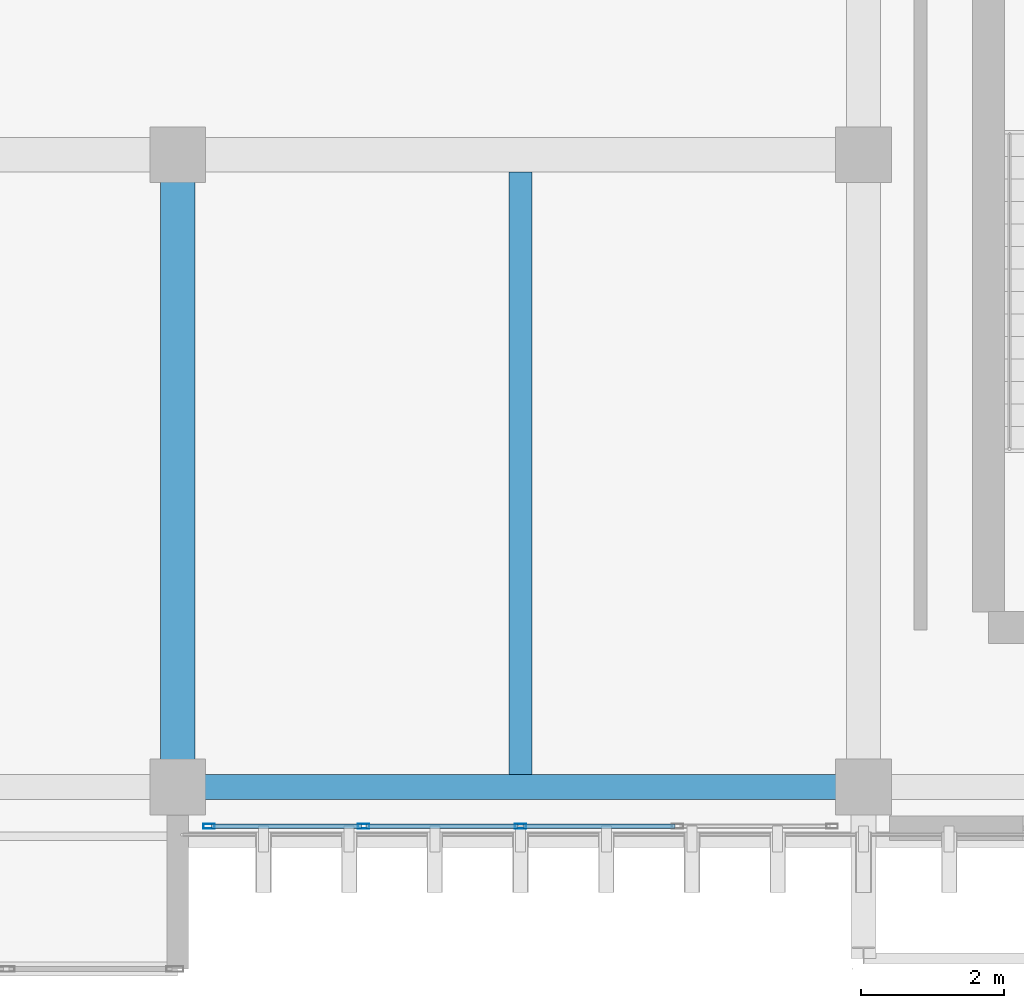
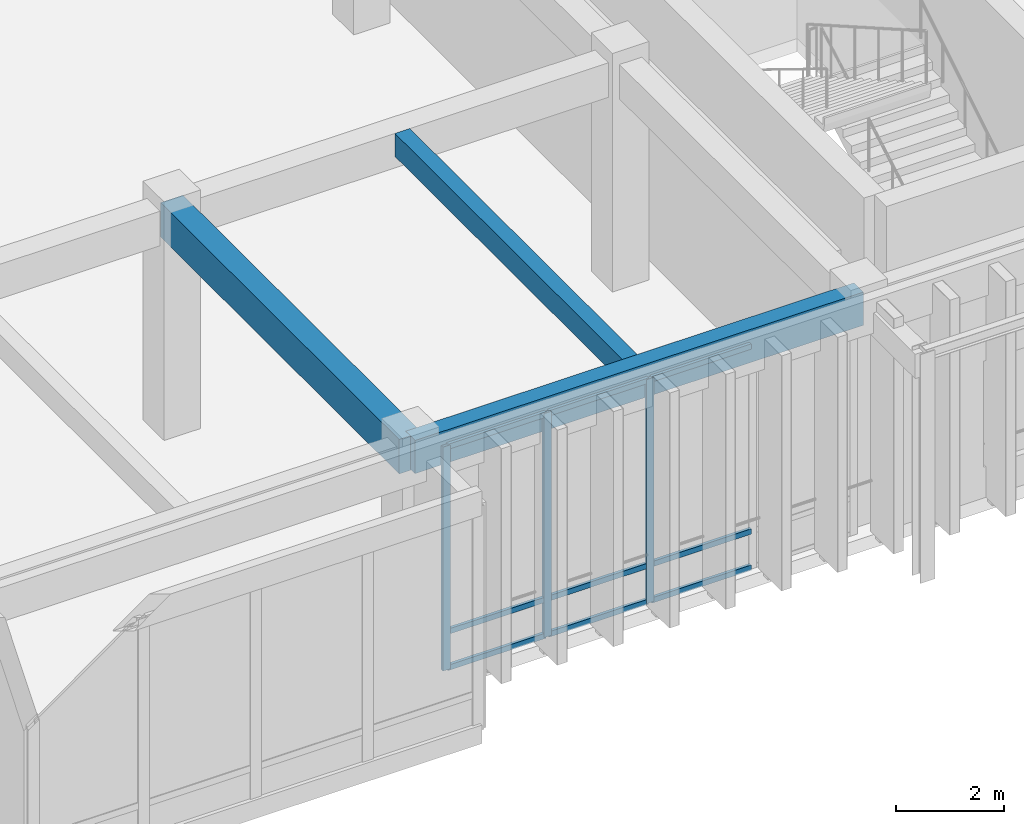
# One storey, part 19 of 134: 12 members, 3 beams, 1 element without a shape of its own.
"""IFC4 building model written with IfcOpenShell, lengths in metres."""

from ifc_helpers import new_model, si_unit, direction, frame, origin, origin_2d, place, context, subcontext, project, spatial, rectangle, hollow_rectangle, extrude, material, layer, layer_set, material_profile, profile_set, type_object, element, aggregate, save


model = new_model("IFC4")

# Units and contexts
model_context = context("Model", 3, precision=1e-05, world=origin(), true_north=direction((0.0, 1.0)))
body_context = subcontext(model_context, "Body", "Model", "MODEL_VIEW")
ifc_project = project(units=[si_unit("LENGTHUNIT", "METRE"), si_unit("AREAUNIT", "SQUARE_METRE"), si_unit("VOLUMEUNIT", "CUBIC_METRE"), si_unit("PLANEANGLEUNIT", "RADIAN"), si_unit("MASSUNIT", "GRAM", prefix="KILO")], contexts=[model_context])

# Site, building, storey
site_placement = place(None, origin())
site = spatial("IfcSite", under=ifc_project, at=site_placement, CompositionType="ELEMENT")
building_placement = place(site_placement, origin())
building = spatial("IfcBuilding", under=site, at=building_placement, Name="Nakhvara Creek Congress Hotel", CompositionType="ELEMENT")
storey_placement = place(building_placement, frame((0.0, 0.0, 6.0)))
storey = spatial("IfcBuildingStorey", under=building, at=storey_placement, Name="L01", CompositionType="ELEMENT", Elevation=6.0)

# Beams
ifc_material_1 = material(Name="Concrete C40/50", Category="concrete")
ifc_material_profile_1 = material_profile(ifc_material_1, rectangle(XDim=0.320068359375, YDim=0.52001953125, at=origin_2d()), Name="RC-BM 320x520", Category="LoadBearing")
ifc_profile_set_1 = profile_set([ifc_material_profile_1], Name="Concrete C40/50")
beam_type_1 = type_object("IfcBeamType", Name="BM-RC-320X520", PredefinedType="JOIST", material=ifc_profile_set_1)
beam_1_placement = place(storey_placement, frame((110.39990234375, 0.925048828125, 4.840087890625), z_axis=(0.0, 1.0, 0.0), x_axis=(-1.0, 0.0, 0.0)))
element("IfcBeam", 1, at=beam_1_placement, inside=storey, type_object=beam_type_1, Name="Secondary Joist BJ2-L01-1378", PredefinedType="JOIST", context=body_context, shape_type="SweptSolid", body=[
    extrude(rectangle(XDim=0.320068359375, YDim=0.52001953125, at=origin_2d()), origin(), (0.0, 0.0, 1.0), 8.43505859375),
])
ifc_material_profile_2 = material_profile(ifc_material_1, rectangle(XDim=0.47998046875, YDim=0.780029296875, at=origin_2d()), Name="RC-BM 480x780", Category="LoadBearing")
ifc_profile_set_2 = profile_set([ifc_material_profile_2], Name="Concrete C40/50")
beam_type_2 = type_object("IfcBeamType", Name="BM-RC-480X780", PredefinedType="BEAM", material=ifc_profile_set_2)
beam_2_placement = place(storey_placement, frame((105.60009765625, 0.75, 4.7099609375), z_axis=(0.0, 1.0, 0.0), x_axis=(-1.0, 0.0, 0.0)))
element("IfcBeam", 2, at=beam_2_placement, inside=storey, type_object=beam_type_2, Name="Beam B13-L01-1190", PredefinedType="BEAM", context=body_context, shape_type="SweptSolid", body=[
    extrude(rectangle(XDim=0.47998046875, YDim=0.780029296875, at=origin_2d()), origin(), (0.0, 0.0, 1.0), 8.85009765625),
])
ifc_material_profile_3 = material_profile(ifc_material_1, rectangle(XDim=0.35009765625, YDim=0.75, at=origin_2d()), Name="RC-SPANDREL 350x750", Category="LoadBearing")
ifc_profile_set_3 = profile_set([ifc_material_profile_3], Name="Concrete C40/50")
beam_type_3 = type_object("IfcBeamType", Name="BM-SPN-350X750", PredefinedType="SPANDREL", material=ifc_profile_set_3)
beam_3_placement = place(storey_placement, frame((105.60009765625, 0.75, 4.72509765625), z_axis=(1.0, 0.0, 0.0), x_axis=(0.0, 1.0, 0.0)))
element("IfcBeam", 3, at=beam_3_placement, inside=storey, type_object=beam_type_3, Name="Beam SP1-L01-1191", PredefinedType="SPANDREL", context=body_context, shape_type="SweptSolid", body=[
    extrude(rectangle(XDim=0.35009765625, YDim=0.75, at=origin_2d()), origin(), (0.0, 0.0, 1.0), 9.599853515625),
])

# Curtain wall, members
ifc_material_2 = material(Name="Bronze-anodised aluminium AW-6063-T6 and double-silver low-E glass", Category="aluminium")
ifc_layer = layer(ifc_material_2, 0.199951171875)
ifc_layer_set = layer_set([ifc_layer], Name="Bronze-anodised aluminium AW-6063-T6 and double-silver low-E glass")
curtain_wall_type = type_object("IfcCurtainWallType", Name="CW-SPA-STICK", PredefinedType="NOTDEFINED", material=ifc_layer_set)
curtain_wall_placement = place(storey_placement, origin())
curtain_wall = element("IfcCurtainWall", 4, at=curtain_wall_placement, inside=storey, type_object=curtain_wall_type, Name="Curtain Wall CW078", PredefinedType="NOTDEFINED")
ifc_material_3 = material(Name="Bronze-anodised aluminium AW-6063-T6", Category="aluminium")
ifc_material_profile_4 = material_profile(ifc_material_3, hollow_rectangle(XDim=0.06494140625, YDim=0.159912109375, WallThickness=0.00390625, at=origin_2d()), Name="ALU-MULL 65x160x4", Category="LoadBearing")
ifc_profile_set_4 = profile_set([ifc_material_profile_4], Name="Bronze-anodised aluminium AW-6063-T6")
member_type_1 = type_object("IfcMemberType", Name="CW-MULL-160", PredefinedType="MULLION", material=ifc_profile_set_4)
member_1_placement = place(storey_placement, frame((110.39990234375, 0.199951171875, 0.0), z_axis=(0.0, 0.0, 1.0), x_axis=(0.0, -1.0, 0.0)))
member_1 = element("IfcMember", 5, at=member_1_placement, type_object=member_type_1, Name="CW078 mullion 3", PredefinedType="MULLION", context=body_context, shape_type="SweptSolid", body=[
    extrude(hollow_rectangle(XDim=0.06494140625, YDim=0.159912109375, WallThickness=0.00390625, at=origin_2d()), origin(), (0.0, 0.0, 1.0), 5.070068359375),
])
member_2_placement = place(storey_placement, frame((108.202392578125, 0.199951171875, 0.0), z_axis=(0.0, 0.0, 1.0), x_axis=(0.0, -1.0, 0.0)))
member_2 = element("IfcMember", 6, at=member_2_placement, type_object=member_type_1, Name="CW078 mullion 4", PredefinedType="MULLION", context=body_context, shape_type="SweptSolid", body=[
    extrude(hollow_rectangle(XDim=0.06494140625, YDim=0.159912109375, WallThickness=0.00390625, at=origin_2d()), origin(), (0.0, 0.0, 1.0), 5.070068359375),
])
member_3_placement = place(storey_placement, frame((106.03759765625, 0.199951171875, 0.0), z_axis=(0.0, 0.0, 1.0), x_axis=(0.0, -1.0, 0.0)))
member_3 = element("IfcMember", 7, at=member_3_placement, type_object=member_type_1, Name="CW078 mullion 5", PredefinedType="MULLION", context=body_context, shape_type="SweptSolid", body=[
    extrude(hollow_rectangle(XDim=0.06494140625, YDim=0.159912109375, WallThickness=0.00390625, at=origin_2d()), origin(), (0.0, 0.0, 1.0), 5.070068359375),
])
ifc_material_profile_5 = material_profile(ifc_material_3, hollow_rectangle(XDim=0.06494140625, YDim=0.1201171875, WallThickness=0.00390625, at=origin_2d()), Name="ALU-TRAN 65x120x4", Category="LoadBearing")
ifc_profile_set_5 = profile_set([ifc_material_profile_5], Name="Bronze-anodised aluminium AW-6063-T6")
member_type_2 = type_object("IfcMemberType", Name="CW-TRAN-120", PredefinedType="USERDEFINED", material=ifc_profile_set_5)
member_4_placement = place(storey_placement, frame((112.56494140625, 0.199951171875, 0.032470703125), z_axis=(-1.0, 0.0, 0.0), x_axis=(0.0, -1.0, 0.0)))
member_4 = element("IfcMember", 8, at=member_4_placement, type_object=member_type_2, Name="CW078 transom 2.1", ObjectType="TRANSOM", PredefinedType="USERDEFINED", context=body_context, shape_type="SweptSolid", body=[
    extrude(hollow_rectangle(XDim=0.06494140625, YDim=0.1201171875, WallThickness=0.00390625, at=origin_2d()), origin(), (0.0, 0.0, 1.0), 2.13232421875),
])
member_5_placement = place(storey_placement, frame((112.56494140625, 0.199951171875, 0.85009765625), z_axis=(-1.0, 0.0, 0.0), x_axis=(0.0, -1.0, 0.0)))
member_5 = element("IfcMember", 9, at=member_5_placement, type_object=member_type_2, Name="CW078 transom 2.2", ObjectType="TRANSOM", PredefinedType="USERDEFINED", context=body_context, shape_type="SweptSolid", body=[
    extrude(hollow_rectangle(XDim=0.06494140625, YDim=0.1201171875, WallThickness=0.00390625, at=origin_2d()), origin(), (0.0, 0.0, 1.0), 2.13232421875),
])
member_6_placement = place(storey_placement, frame((112.56494140625, 0.199951171875, 5.03759765625), z_axis=(-1.0, 0.0, 0.0), x_axis=(0.0, -1.0, 0.0)))
member_6 = element("IfcMember", 10, at=member_6_placement, type_object=member_type_2, Name="CW078 transom 2.3", ObjectType="TRANSOM", PredefinedType="USERDEFINED", context=body_context, shape_type="SweptSolid", body=[
    extrude(hollow_rectangle(XDim=0.06494140625, YDim=0.1201171875, WallThickness=0.00390625, at=origin_2d()), origin(), (0.0, 0.0, 1.0), 2.13232421875),
])
member_7_placement = place(storey_placement, frame((110.367431640625, 0.199951171875, 0.032470703125), z_axis=(-1.0, 0.0, 0.0), x_axis=(0.0, -1.0, 0.0)))
member_7 = element("IfcMember", 11, at=member_7_placement, type_object=member_type_2, Name="CW078 transom 3.1", ObjectType="TRANSOM", PredefinedType="USERDEFINED", context=body_context, shape_type="SweptSolid", body=[
    extrude(hollow_rectangle(XDim=0.06494140625, YDim=0.1201171875, WallThickness=0.00390625, at=origin_2d()), origin(), (0.0, 0.0, 1.0), 2.13232421875),
])
member_8_placement = place(storey_placement, frame((110.367431640625, 0.199951171875, 0.85009765625), z_axis=(-1.0, 0.0, 0.0), x_axis=(0.0, -1.0, 0.0)))
member_8 = element("IfcMember", 12, at=member_8_placement, type_object=member_type_2, Name="CW078 transom 3.2", ObjectType="TRANSOM", PredefinedType="USERDEFINED", context=body_context, shape_type="SweptSolid", body=[
    extrude(hollow_rectangle(XDim=0.06494140625, YDim=0.1201171875, WallThickness=0.00390625, at=origin_2d()), origin(), (0.0, 0.0, 1.0), 2.13232421875),
])
member_9_placement = place(storey_placement, frame((110.367431640625, 0.199951171875, 5.03759765625), z_axis=(-1.0, 0.0, 0.0), x_axis=(0.0, -1.0, 0.0)))
member_9 = element("IfcMember", 13, at=member_9_placement, type_object=member_type_2, Name="CW078 transom 3.3", ObjectType="TRANSOM", PredefinedType="USERDEFINED", context=body_context, shape_type="SweptSolid", body=[
    extrude(hollow_rectangle(XDim=0.06494140625, YDim=0.1201171875, WallThickness=0.00390625, at=origin_2d()), origin(), (0.0, 0.0, 1.0), 2.13232421875),
])
member_10_placement = place(storey_placement, frame((108.169921875, 0.199951171875, 0.032470703125), z_axis=(-1.0, 0.0, 0.0), x_axis=(0.0, -1.0, 0.0)))
member_10 = element("IfcMember", 14, at=member_10_placement, type_object=member_type_2, Name="CW078 transom 4.1", ObjectType="TRANSOM", PredefinedType="USERDEFINED", context=body_context, shape_type="SweptSolid", body=[
    extrude(hollow_rectangle(XDim=0.06494140625, YDim=0.1201171875, WallThickness=0.00390625, at=origin_2d()), origin(), (0.0, 0.0, 1.0), 2.099853515625),
])
member_11_placement = place(storey_placement, frame((108.169921875, 0.199951171875, 0.85009765625), z_axis=(-1.0, 0.0, 0.0), x_axis=(0.0, -1.0, 0.0)))
member_11 = element("IfcMember", 15, at=member_11_placement, type_object=member_type_2, Name="CW078 transom 4.2", ObjectType="TRANSOM", PredefinedType="USERDEFINED", context=body_context, shape_type="SweptSolid", body=[
    extrude(hollow_rectangle(XDim=0.06494140625, YDim=0.1201171875, WallThickness=0.00390625, at=origin_2d()), origin(), (0.0, 0.0, 1.0), 2.099853515625),
])
member_12_placement = place(storey_placement, frame((108.169921875, 0.199951171875, 5.03759765625), z_axis=(-1.0, 0.0, 0.0), x_axis=(0.0, -1.0, 0.0)))
member_12 = element("IfcMember", 16, at=member_12_placement, type_object=member_type_2, Name="CW078 transom 4.3", ObjectType="TRANSOM", PredefinedType="USERDEFINED", context=body_context, shape_type="SweptSolid", body=[
    extrude(hollow_rectangle(XDim=0.06494140625, YDim=0.1201171875, WallThickness=0.00390625, at=origin_2d()), origin(), (0.0, 0.0, 1.0), 2.099853515625),
])
aggregate(curtain_wall, [member_1, member_2, member_3, member_4, member_5, member_6, member_7, member_8, member_9, member_10, member_11, member_12])

save(model, "model.ifc")
